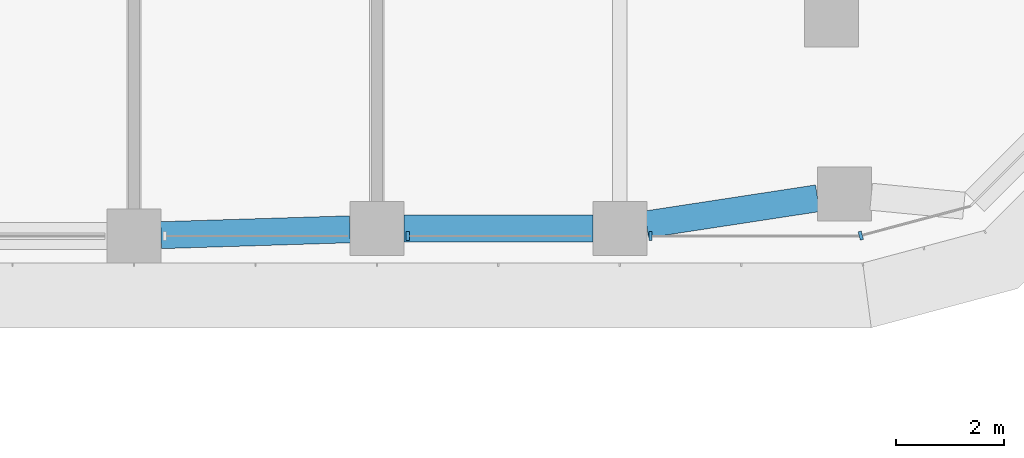
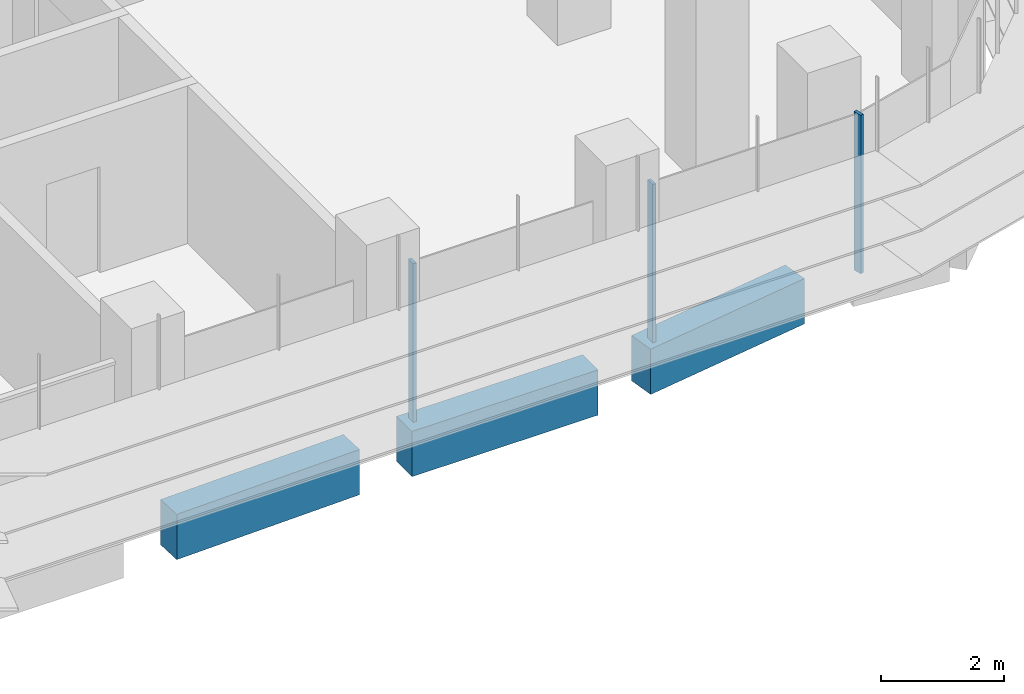
# One storey, part 5 of 23: 3 beams, 3 members, 2 elements without a shape of their own.
"""IFC4 building model written with IfcOpenShell, lengths in metres."""

from ifc_helpers import new_model, si_unit, direction, frame, origin, origin_2d, place, context, subcontext, project, spatial, polyline, rectangle, outline, extrude, source, transform, mapped, material, material_profile, profile_set, type_object, element, aggregate, save


model = new_model("IFC4")

# Units and contexts
model_context = context("Model", 3, precision=1e-05, world=origin(), true_north=direction((0.0, 1.0)))
body_context = subcontext(model_context, "Body", "Model", "MODEL_VIEW")
ifc_project = project(units=[si_unit("LENGTHUNIT", "METRE"), si_unit("AREAUNIT", "SQUARE_METRE"), si_unit("VOLUMEUNIT", "CUBIC_METRE"), si_unit("PLANEANGLEUNIT", "RADIAN"), si_unit("MASSUNIT", "GRAM", prefix="KILO")], contexts=[model_context])

# Site, building, storey
site_placement = place(None, origin())
site = spatial("IfcSite", under=ifc_project, at=site_placement, CompositionType="ELEMENT")
building_placement = place(site_placement, origin())
building = spatial("IfcBuilding", under=site, at=building_placement, Name="Zarbagh Exchange Tower", CompositionType="ELEMENT")
storey_placement = place(building_placement, frame((0.0, 0.0, 31.199951171875)))
storey = spatial("IfcBuildingStorey", under=building, at=storey_placement, Name="L06", CompositionType="ELEMENT", Elevation=31.199951171875)

# Beams
ifc_material_1 = material(Name="Concrete C60/75", Category="concrete")
ifc_material_profile = material_profile(ifc_material_1, rectangle(XDim=0.5, YDim=0.89990234375, at=origin_2d()), Name="RC spandrel beam 500 x 900 C60/75")
ifc_profile_set = profile_set([ifc_material_profile], Name="Concrete C60/75")
beam_type = type_object("IfcBeamType", Name="RC spandrel beam 500 x 900 C60/75", PredefinedType="SPANDREL", material=ifc_profile_set)
beam_1_placement = place(storey_placement, frame((28.413818359375, -5.550537109375, -0.599853515625), z_axis=(-0.988545350976, -0.150924116903, 0.0), x_axis=(0.150924116903, -0.988545350976, 0.0)))
element("IfcBeam", 1, at=beam_1_placement, inside=storey, type_object=beam_type, Name="RC spandrel beam", PredefinedType="SPANDREL", context=body_context, shape_type="SweptSolid", body=[
    extrude(rectangle(XDim=0.5, YDim=0.89990234375, at=origin_2d()), origin(), (0.0, 0.0, 1.0), 3.2060546875),
])
beam_2_placement = place(storey_placement, frame((24.25, -6.110107421875, -0.599853515625), z_axis=(-1.0, 0.0, 0.0), x_axis=(0.0, -1.0, 0.0)))
element("IfcBeam", 2, at=beam_2_placement, inside=storey, type_object=beam_type, Name="RC spandrel beam", PredefinedType="SPANDREL", context=body_context, shape_type="SweptSolid", body=[
    extrude(rectangle(XDim=0.5, YDim=0.89990234375, at=origin_2d()), origin(), (0.0, 0.0, 1.0), 3.5),
])
beam_3_placement = place(storey_placement, frame((19.750244140625, -6.12548828125, -0.599853515625), z_axis=(-0.999514385708, -0.031160756759, 0.0), x_axis=(0.031160756759, -0.999514385708, 0.0)))
element("IfcBeam", 3, at=beam_3_placement, inside=storey, type_object=beam_type, Name="RC spandrel beam", PredefinedType="SPANDREL", context=body_context, shape_type="SweptSolid", body=[
    extrude(rectangle(XDim=0.5, YDim=0.89990234375, at=origin_2d()), origin(), (0.0, 0.0, 1.0), 3.502197265625),
])

# Curtain wall, members
ifc_material_2 = material(Name="Anodised aluminium frame and glazing", Category="aluminium")
curtain_wall_type = type_object("IfcCurtainWallType", Name="CWA Ribbon glazing, lower zones", PredefinedType="NOTDEFINED", material=ifc_material_2)
curtain_wall_1_placement = place(storey_placement, origin())
curtain_wall_1 = element("IfcCurtainWall", 4, at=curtain_wall_1_placement, inside=storey, type_object=curtain_wall_type, Name="CWA08 curtain wall", PredefinedType="NOTDEFINED")
ifc_material_3 = material(Name="Anodised aluminium frame", Category="aluminium")
member_type = type_object("IfcMemberType", Name="MUA Mullion, anodised aluminium frame", PredefinedType="MULLION", material=ifc_material_3)
shared_shape = source(origin(), body_context, "Body", "SweptSolid", [
    extrude(outline(polyline([(0.0, -0.080078125), (0.06005859375, -0.080078125), (0.06005859375, 0.080078125), (0.0, 0.080078125), (0.0, -0.080078125)])), origin(), (0.0, 0.0, 1.0), 3.14990234375),
])
placement = place(storey_placement, origin())
member_1 = element("IfcMember", 5, at=placement, type_object=member_type, Name="CWA08 mullion 3.1", PredefinedType="MULLION", context=body_context, shape_type="MappedRepresentation", body=[
    mapped(shared_shape, transform((20.7900390625, -6.25, 0.0), x_axis=(1.0, 0.0, 0.0), y_axis=(0.0, 1.0, 0.0), z_axis=(0.0, 0.0, 1.0))),
])
member_2 = element("IfcMember", 6, at=placement, type_object=member_type, Name="CWA08 mullion 4.1", PredefinedType="MULLION", context=body_context, shape_type="MappedRepresentation", body=[
    mapped(shared_shape, transform((25.2900390625, -6.25, 0.0), x_axis=(1.0, 0.0, 0.0), y_axis=(0.0, 1.0, 0.0), z_axis=(0.0, 0.0, 1.0))),
])
aggregate(curtain_wall_1, [member_1, member_2])

# Curtain wall, member
curtain_wall_2_placement = place(storey_placement, origin())
curtain_wall_2 = element("IfcCurtainWall", 7, at=curtain_wall_2_placement, inside=storey, type_object=curtain_wall_type, Name="CWA09 curtain wall", PredefinedType="NOTDEFINED")
member_3 = element("IfcMember", 8, at=placement, type_object=member_type, Name="CWA09 mullion 1.1", PredefinedType="MULLION", context=body_context, shape_type="MappedRepresentation", body=[
    mapped(shared_shape, transform((29.18408203125, -6.25, 0.0), x_axis=(0.965924289636, 0.258824779902, 0.0), y_axis=(-0.258824779902, 0.965924289636, 0.0), z_axis=(0.0, 0.0, 1.0))),
])
aggregate(curtain_wall_2, [member_3])

save(model, "model.ifc")
